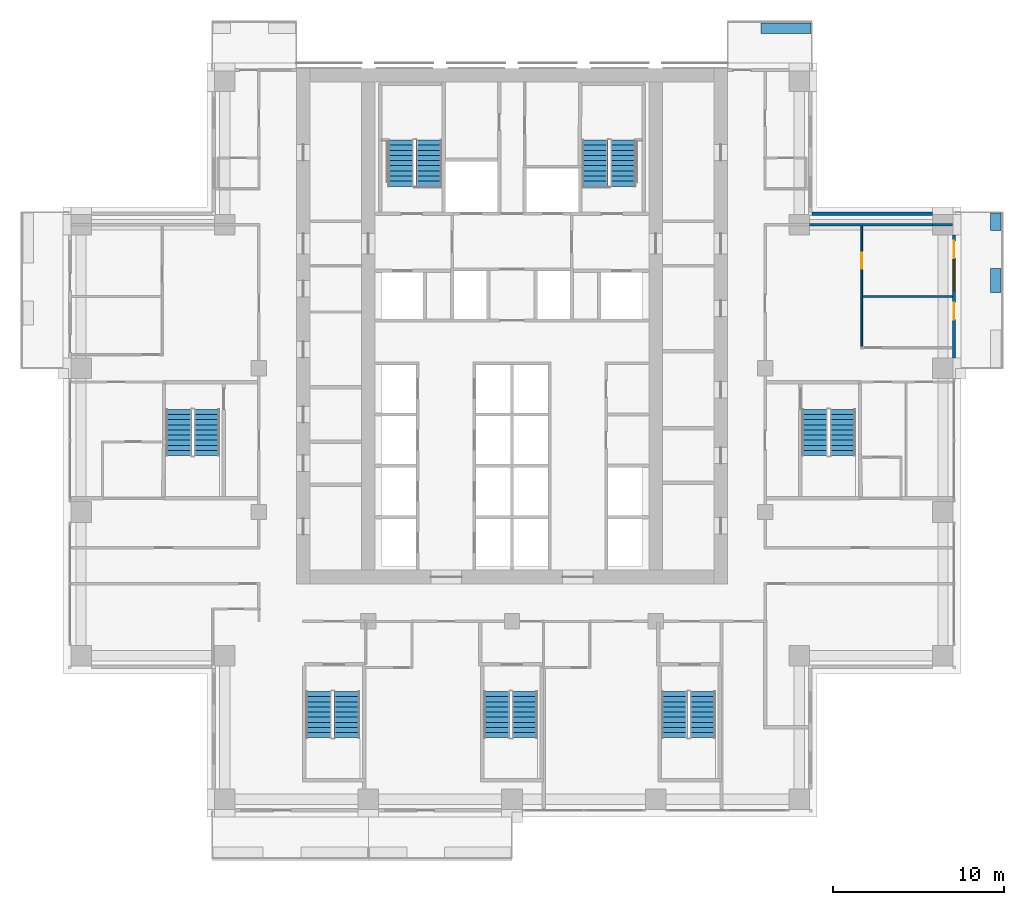
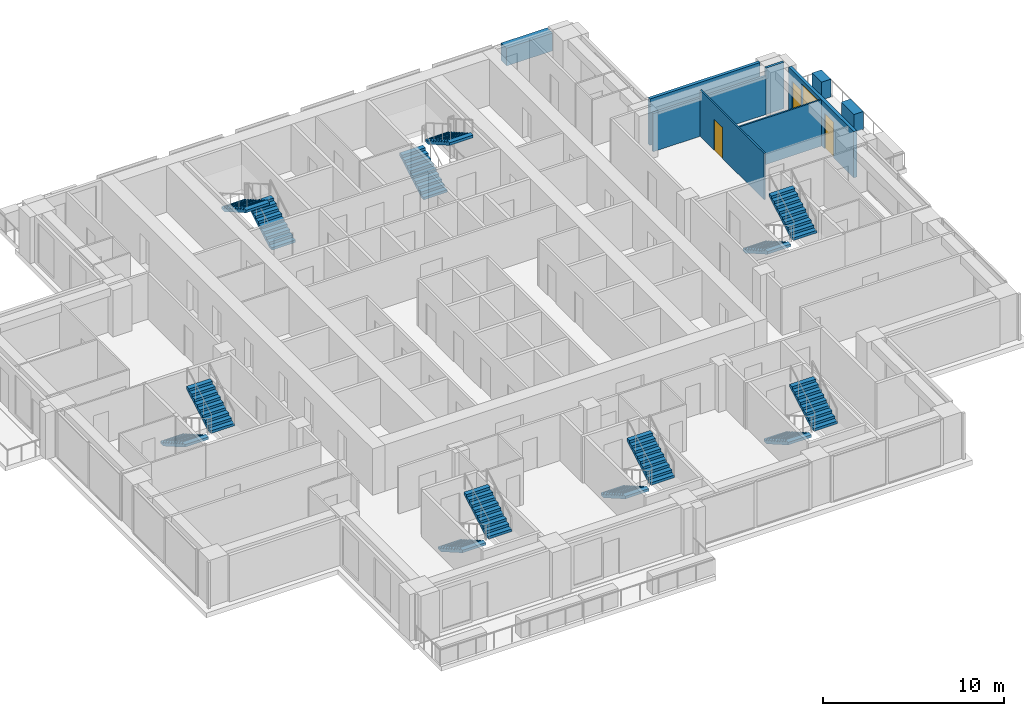
# One storey, part 12 of 16: 14 stair flights, 9 walls, 3 doors, 1 window, 4 openings, 7 elements without a shape of their own.
"""IFC4 building model written with IfcOpenShell, lengths in metres."""

import ifcopenshell
import ifcopenshell.guid

model = None  # the IFC model being written
_history = None  # IfcOwnerHistory: only IFC2X3 demands one
_inside = {}  # id of a spatial element -> (the spatial element, [elements in it])
_under = {}  # id of a project, library or spatial element -> (it, [spatial elements below it])
_declared = {}  # id of a project -> (the project, [libraries it declares])
_typed = {}  # id of a type object -> (the type object, [elements of that type])
_made_of = {}  # id of a material, layer set ... -> (it, [elements and type objects made of it])


def new_model(schema):
    """Start an empty IFC model of exactly this schema.

    Asked for "IFC4X3", IfcOpenShell would pick the latest addendum, in which some entities
    have other attributes; the version numbers below select the first issue.
    IFC2X3 requires an IfcOwnerHistory on every rooted entity: one is made here for all.
    """
    global model, _history
    if schema == "IFC4X3":
        model = ifcopenshell.file(schema_version=(4, 3, 0, 0))
    else:
        model = ifcopenshell.file(schema=schema)
    _inside.clear()
    _under.clear()
    _declared.clear()
    _typed.clear()
    _made_of.clear()
    _history = None
    if model.schema == "IFC2X3":
        org = make("IfcOrganization", Name="unknown")
        user = make(
            "IfcPersonAndOrganization",
            ThePerson=make("IfcPerson", FamilyName="unknown"),
            TheOrganization=org,
        )
        app = make(
            "IfcApplication",
            ApplicationDeveloper=org,
            Version="unknown",
            ApplicationFullName="unknown",
            ApplicationIdentifier="unknown",
        )
        _history = make(
            "IfcOwnerHistory",
            OwningUser=user,
            OwningApplication=app,
            ChangeAction="ADDED",
            CreationDate=0,
        )
    return model


def make(cls, **values):
    """One entity of the class cls with the attributes given. An attribute that is None is left unset."""
    return model.create_entity(
        cls, **{name: value for name, value in values.items() if value is not None}
    )


def rooted(cls, **values):
    """An entity with a GlobalId (a new one), such as an element, a storey or a relation."""
    return make(cls, GlobalId=ifcopenshell.guid.new(), OwnerHistory=_history, **values)


def si_unit(unit_type, name, prefix=None):
    """IfcSIUnit, for example si_unit("LENGTHUNIT", "METRE", prefix="MILLI")."""
    return make("IfcSIUnit", UnitType=unit_type, Prefix=prefix, Name=name)


def assignment(units):
    """IfcUnitAssignment: the units of a project."""
    return None if units is None else make("IfcUnitAssignment", Units=units)


def point(xyz):
    """IfcCartesianPoint."""
    return None if xyz is None else make("IfcCartesianPoint", Coordinates=xyz)


def direction(xyz):
    """IfcDirection."""
    return None if xyz is None else make("IfcDirection", DirectionRatios=xyz)


def frame(location, z_axis=None, x_axis=None):
    """IfcAxis2Placement3D, a coordinate frame: its origin and axes. An axis left out is left unset."""
    return make(
        "IfcAxis2Placement3D",
        Location=point(location),
        Axis=direction(z_axis),
        RefDirection=direction(x_axis),
    )


def frame_2d(location, x_axis=None):
    """IfcAxis2Placement2D, a coordinate frame in the plane: its origin and x axis."""
    return make(
        "IfcAxis2Placement2D", Location=point(location), RefDirection=direction(x_axis)
    )


def origin():
    """The frame at (0, 0, 0) with its axes left unset."""
    return frame((0.0, 0.0, 0.0))


def place(relative_to, where):
    """IfcLocalPlacement: puts the frame where relative to a parent placement (None: the world)."""
    return make(
        "IfcLocalPlacement", PlacementRelTo=relative_to, RelativePlacement=where
    )


def context(
    kind, dimensions, precision=None, world=None, true_north=None, identifier=None
):
    """IfcGeometricRepresentationContext, for example the 3D "Model" context."""
    return make(
        "IfcGeometricRepresentationContext",
        ContextIdentifier=identifier,
        ContextType=kind,
        CoordinateSpaceDimension=dimensions,
        Precision=precision,
        WorldCoordinateSystem=world,
        TrueNorth=true_north,
    )


def subcontext(parent, identifier, kind, view, scale=None):
    """IfcGeometricRepresentationSubContext, for example "Body" below "Model"."""
    return make(
        "IfcGeometricRepresentationSubContext",
        ContextIdentifier=identifier,
        ContextType=kind,
        ParentContext=parent,
        TargetScale=scale,
        TargetView=view,
    )


def project(units=None, contexts=None):
    """IfcProject with its units and contexts."""
    return rooted(
        "IfcProject",
        Name="project",
        RepresentationContexts=contexts,
        UnitsInContext=assignment(units),
    )


def spatial(cls, under=None, at=None, **own):
    """A site, building, storey or space (cls), placed at a placement, below another one or the project."""
    s = rooted(cls, ObjectPlacement=at, **own)
    if under is not None:
        _under.setdefault(under.id(), (under, []))[1].append(s)
    return s


def polyline(points):
    """IfcPolyline through the points."""
    return make("IfcPolyline", Points=[point(p) for p in points])


def profile(cls, at=None, kind="AREA", **sizes):
    """A parametric profile (cls). Its sizes go by their IFC names, for example OverallWidth=200.0."""
    return make(cls, ProfileType=kind, Position=at, **sizes)


def rectangle(**sizes):
    """IfcRectangleProfileDef."""
    return profile("IfcRectangleProfileDef", **sizes)


def outline(outer, holes=None, kind="AREA"):
    """IfcArbitraryClosedProfileDef: a profile drawn as a closed curve; with holes, ...WithVoids."""
    if holes is None:
        return make("IfcArbitraryClosedProfileDef", ProfileType=kind, OuterCurve=outer)
    return make(
        "IfcArbitraryProfileDefWithVoids",
        ProfileType=kind,
        OuterCurve=outer,
        InnerCurves=holes,
    )


def extrude(swept, where, along, depth):
    """IfcExtrudedAreaSolid: the profile swept, set in the frame where, extruded along a direction by depth."""
    return make(
        "IfcExtrudedAreaSolid",
        SweptArea=swept,
        Position=where,
        ExtrudedDirection=direction(along),
        Depth=depth,
    )


def shape(context_of_items, identifier, shape_type, items):
    """IfcShapeRepresentation: the items that make up one representation, for example the "Body"."""
    return make(
        "IfcShapeRepresentation",
        ContextOfItems=context_of_items,
        RepresentationIdentifier=identifier,
        RepresentationType=shape_type,
        Items=items,
    )


def material(Name=None, Category=None):
    """IfcMaterial."""
    return make("IfcMaterial", Name=Name, Category=Category)


def layer(
    of_material, thickness, ventilated=None, Name=None, Category=None, Priority=None
):
    """IfcMaterialLayer: one layer of a wall or slab, of a material (None: an air gap)."""
    return make(
        "IfcMaterialLayer",
        Material=of_material,
        LayerThickness=thickness,
        IsVentilated=ventilated,
        Name=Name,
        Category=Category,
        Priority=Priority,
    )


def layer_set(layers, Name=None):
    """IfcMaterialLayerSet."""
    return make("IfcMaterialLayerSet", MaterialLayers=layers, LayerSetName=Name)


def made_of(thing, what):
    """Note that an element or type object is made of a material, layer set ...; save() writes the relation."""
    if what is not None:
        _made_of.setdefault(what.id(), (what, []))[1].append(thing)
    return thing


def type_object(cls, material=None, **own):
    """A type object (cls), such as IfcWallType, which elements share."""
    return made_of(rooted(cls, **own), material)


def element(
    cls,
    number,
    at=None,
    inside=None,
    cuts=None,
    type_object=None,
    material=None,
    context=None,
    identifier="Body",
    shape_type=None,
    held_by="IfcProductDefinitionShape",
    body=None,
    shapes=None,
    **own,
):
    """One element of the class cls, such as IfcWall. Its Tag is "e" and its number.

    at: its placement. inside: the storey or other place that contains it. cuts: it is an
    opening in that element (IfcRelVoidsElement). A single representation is given by context,
    identifier, shape_type and body (its items); several are given by shapes. held_by: the class
    of the entity that holds the representations. save() writes the other relations.
    """
    e = rooted(cls, Tag="e%d" % number, ObjectPlacement=at, **own)
    if body is not None:
        shapes = [shape(context, identifier, shape_type, body)]
    if shapes is not None:
        e.Representation = make(held_by, Representations=shapes)
    if inside is not None:
        _inside.setdefault(inside.id(), (inside, []))[1].append(e)
    if cuts is not None:
        rooted(
            "IfcRelVoidsElement", RelatingBuildingElement=cuts, RelatedOpeningElement=e
        )
    if type_object is not None:
        _typed.setdefault(type_object.id(), (type_object, []))[1].append(e)
    return made_of(e, material)


def fill(opening, filler):
    """IfcRelFillsElement: the door or window that sits in an opening."""
    return rooted(
        "IfcRelFillsElement",
        RelatingOpeningElement=opening,
        RelatedBuildingElement=filler,
    )


def aggregate(whole, parts):
    """IfcRelAggregates: a whole, such as a stair, and the parts it consists of."""
    return rooted("IfcRelAggregates", RelatingObject=whole, RelatedObjects=parts)


def save(model, path):
    """Write the relations noted so far, then the file.

    IfcRelAggregates (storeys below a building ...), IfcRelContainedInSpatialStructure (elements
    in a storey), IfcRelDefinesByType, IfcRelAssociatesMaterial and IfcRelDeclares: one each for
    every whole, place, type object, material and project.
    """
    for whole, parts in _under.values():
        aggregate(whole, parts)
    for where, things in _inside.values():
        rooted(
            "IfcRelContainedInSpatialStructure",
            RelatedElements=things,
            RelatingStructure=where,
        )
    for kind, things in _typed.values():
        rooted("IfcRelDefinesByType", RelatedObjects=things, RelatingType=kind)
    for what, things in _made_of.values():
        rooted("IfcRelAssociatesMaterial", RelatedObjects=things, RelatingMaterial=what)
    for by, libraries in _declared.values():
        rooted("IfcRelDeclares", RelatingContext=by, RelatedDefinitions=libraries)
    model.write(path)


model = new_model("IFC4")

# Units and contexts
model_context = context("Model", 3, precision=1e-05, world=origin(), true_north=direction((0.0, 1.0)))
body_context = subcontext(model_context, "Body", "Model", "MODEL_VIEW")
ifc_project = project(units=[si_unit("LENGTHUNIT", "METRE"), si_unit("AREAUNIT", "SQUARE_METRE"), si_unit("VOLUMEUNIT", "CUBIC_METRE"), si_unit("PLANEANGLEUNIT", "RADIAN"), si_unit("MASSUNIT", "GRAM", prefix="KILO")], contexts=[model_context])

# Site, building, storey
site_placement = place(None, origin())
site = spatial("IfcSite", under=ifc_project, at=site_placement, CompositionType="ELEMENT")
building_placement = place(site_placement, origin())
building = spatial("IfcBuilding", under=site, at=building_placement, Name="Vermilion Ogive Tower", CompositionType="ELEMENT")
storey_placement = place(building_placement, frame((0.0, 0.0, 114.89990234375)))
storey = spatial("IfcBuildingStorey", under=building, at=storey_placement, Name="L29", CompositionType="ELEMENT", Elevation=114.89990234375)

# Wall
ifc_material_1 = material(Name="Gypsum board partition on steel studs", Category="steel")
ifc_layer_1 = layer(ifc_material_1, 0.10009765625)
ifc_layer_set_1 = layer_set([ifc_layer_1], Name="Partition 100 inner")
wall_type_1 = type_object("IfcWallType", Name="Partition 100 inner", PredefinedType="PARTITIONING", material=ifc_layer_set_1)
wall_1_placement = place(storey_placement, frame((20.5, 8.39990234375, 0.0), z_axis=(0.0, 0.0, 1.0), x_axis=(1.0, 0.0, 0.0)))
element("IfcWall", 1, at=wall_1_placement, inside=storey, type_object=wall_type_1, Name="L29-W-W034", PredefinedType="PARTITIONING", context=body_context, shape_type="SweptSolid", body=[
    extrude(rectangle(XDim=5.25, YDim=0.10009765625, at=frame_2d((2.625, 0.0))), origin(), (0.0, 0.0, 1.0), 3.130126953125),
])

# Wall, opening, door
wall_2_placement = place(storey_placement, frame((20.449951171875, 5.449951171875, 0.0), z_axis=(0.0, 0.0, 1.0), x_axis=(0.0, 1.0, 0.0)))
wall_2 = element("IfcWall", 2, at=wall_2_placement, inside=storey, type_object=wall_type_1, Name="L29-W-W076", PredefinedType="PARTITIONING", context=body_context, shape_type="SweptSolid", body=[
    extrude(rectangle(XDim=7.074951171875, YDim=0.10009765625, at=frame_2d((3.53759765625, 0.0))), origin(), (0.0, 0.0, 1.0), 3.130126953125),
])
opening_1_placement = place(wall_2_placement, frame((4.574951171875, 0.0, 0.0)))
opening_1 = element("IfcOpeningElement", 3, at=opening_1_placement, cuts=wall_2, Name="Opening D2G5017", PredefinedType="OPENING", context=body_context, shape_type="SweptSolid", body=[
    extrude(rectangle(XDim=0.949951171875, YDim=2.10009765625, at=frame_2d((0.47509765625, 1.050048828125))), frame((0.0, 0.06005859375, 0.0), z_axis=(0.0, -1.0, 0.0), x_axis=(1.0, 0.0, 0.0)), (0.0, 0.0, 1.0), 0.1201171875),
])
ifc_material_2 = material(Name="Timber door leaf", Category="wood")
door_type_1 = type_object("IfcDoorType", Name="Inner door 950 x 2100 FD30", OperationType="SINGLE_SWING_LEFT", PredefinedType="DOOR", material=ifc_material_2)
door_1_placement = place(opening_1_placement, origin())
door_1 = element("IfcDoor", 4, at=door_1_placement, inside=storey, type_object=door_type_1, Name="L29-D-D017", OperationType="SINGLE_SWING_RIGHT", OverallHeight=2.10009765625, OverallWidth=0.949951171875, PredefinedType="DOOR", context=body_context, shape_type="SweptSolid", body=[
    extrude(rectangle(XDim=0.949951171875, YDim=2.10009765625, at=frame_2d((0.47509765625, 1.050048828125))), frame((0.0, 0.02490234375, 0.0), z_axis=(0.0, -1.0, 0.0), x_axis=(1.0, 0.0, 0.0)), (0.0, 0.0, 1.0), 0.050048828125),
])
fill(opening_1, door_1)

# Walls
ifc_material_3 = material(Name="Gypsum board partition on steel studs", Category="steel")
ifc_layer_2 = layer(ifc_material_3, 0.14990234375)
ifc_layer_set_2 = layer_set([ifc_layer_2], Name="Partition 150 corridor")
wall_type_2 = type_object("IfcWallType", Name="Partition 150 corridor", PredefinedType="PARTITIONING", material=ifc_layer_set_2)
wall_3_placement = place(storey_placement, frame((17.39990234375, 12.60009765625, 0.0), z_axis=(0.0, 0.0, 1.0), x_axis=(1.0, 0.0, 0.0)))
element("IfcWall", 5, at=wall_3_placement, inside=storey, type_object=wall_type_2, Name="L29-W-W036-h1", PredefinedType="PARTITIONING", context=body_context, shape_type="SweptSolid", body=[
    extrude(rectangle(XDim=7.2001953125, YDim=0.14990234375, at=frame_2d((3.60009765625, 0.0))), origin(), (0.0, 0.0, 1.0), 2.580078125),
])
wall_4_placement = place(storey_placement, frame((24.60009765625, 12.60009765625, 0.0), z_axis=(0.0, 0.0, 1.0), x_axis=(1.0, 0.0, 0.0)))
element("IfcWall", 6, at=wall_4_placement, inside=storey, type_object=wall_type_2, Name="L29-W-W036-h2", PredefinedType="PARTITIONING", context=body_context, shape_type="SweptSolid", body=[
    extrude(rectangle(XDim=1.14990234375, YDim=0.14990234375, at=frame_2d((0.574951171875, 0.0))), origin(), (0.0, 0.0, 1.0), 3.130126953125),
])
ifc_material_4 = material(Name="Concrete B40", Category="concrete")
ifc_layer_3 = layer(ifc_material_4, 0.60009765625)
ifc_layer_set_3 = layer_set([ifc_layer_3], Name="Structural planter")
wall_type_3 = type_object("IfcWallType", Name="Structural planter", PredefinedType="USERDEFINED", material=ifc_layer_set_3)
wall_5_placement = place(storey_placement, frame((28.2939453125, 8.64990234375, -0.039794921875), z_axis=(0.0, 0.0, 1.0), x_axis=(0.0, 1.0, 0.0)))
element("IfcWall", 7, at=wall_5_placement, inside=storey, type_object=wall_type_3, Name="Planter E03A2", ObjectType="PLANTER", PredefinedType="USERDEFINED", context=body_context, shape_type="SweptSolid", body=[
    extrude(rectangle(XDim=1.400146484375, YDim=0.60009765625, at=frame_2d((0.7001953125, 0.0))), origin(), (0.0, 0.0, 1.0), 1.199951171875),
])
wall_6_placement = place(storey_placement, frame((28.2939453125, 12.25, -0.039794921875), z_axis=(0.0, 0.0, 1.0), x_axis=(0.0, 1.0, 0.0)))
element("IfcWall", 8, at=wall_6_placement, inside=storey, type_object=wall_type_3, Name="Planter E03A3", ObjectType="PLANTER", PredefinedType="USERDEFINED", context=body_context, shape_type="SweptSolid", body=[
    extrude(rectangle(XDim=1.0400390625, YDim=0.60009765625, at=frame_2d((0.52001953125, 0.0))), origin(), (0.0, 0.0, 1.0), 1.199951171875),
])
wall_7_placement = place(storey_placement, frame((17.489990234375, 24.093994140625, -0.039794921875), z_axis=(0.0, 0.0, 1.0), x_axis=(-1.0, 0.0, 0.0)))
element("IfcWall", 9, at=wall_7_placement, inside=storey, type_object=wall_type_3, Name="Planter N101A1", ObjectType="PLANTER", PredefinedType="USERDEFINED", context=body_context, shape_type="SweptSolid", body=[
    extrude(rectangle(XDim=2.93994140625, YDim=0.60009765625, at=frame_2d((1.469970703125, 0.0))), origin(), (0.0, 0.0, 1.0), 1.199951171875),
])

# Wall, openings, doors, window
ifc_material_5 = material(Name="Aluminium window wall framing", Category="aluminium")
ifc_layer_4 = layer(ifc_material_5, 0.199951171875)
ifc_layer_set_4 = layer_set([ifc_layer_4], Name="Window wall")
wall_type_4 = type_object("IfcWallType", Name="Window wall", PredefinedType="STANDARD", material=ifc_layer_set_4)
wall_8_placement = place(storey_placement, frame((25.85009765625, 4.800048828125, 0.0), z_axis=(0.0, 0.0, 1.0), x_axis=(0.0, 1.0, 0.0)))
wall_8 = element("IfcWall", 10, at=wall_8_placement, inside=storey, type_object=wall_type_4, Name="Window wall E3", PredefinedType="STANDARD", context=body_context, shape_type="SweptSolid", body=[
    extrude(rectangle(XDim=7.199951171875, YDim=0.199951171875, at=frame_2d((3.60009765625, 0.0))), origin(), (0.0, 0.0, 1.0), 3.130126953125),
])
opening_2_placement = place(wall_8_placement, frame((2.25, 0.0, 0.0)))
opening_2 = element("IfcOpeningElement", 11, at=opening_2_placement, cuts=wall_8, Name="Opening D1-E01", PredefinedType="OPENING", context=body_context, shape_type="SweptSolid", body=[
    extrude(rectangle(XDim=1.0, YDim=2.39990234375, at=frame_2d((0.5, 1.199951171875))), frame((0.0, 0.10986328125, 0.0), z_axis=(0.0, -1.0, 0.0), x_axis=(1.0, 0.0, 0.0)), (0.0, 0.0, 1.0), 0.219970703125),
])
opening_3_placement = place(wall_8_placement, frame((3.949951171875, 0.0, 0.199951171875)))
opening_3 = element("IfcOpeningElement", 12, at=opening_3_placement, cuts=wall_8, Name="Opening W1-E02", PredefinedType="OPENING", context=body_context, shape_type="SweptSolid", body=[
    extrude(rectangle(XDim=1.800048828125, YDim=2.64990234375, at=frame_2d((0.89990234375, 1.324951171875))), frame((0.0, 0.10986328125, 0.0), z_axis=(0.0, -1.0, 0.0), x_axis=(1.0, 0.0, 0.0)), (0.0, 0.0, 1.0), 0.219970703125),
])
opening_4_placement = place(wall_8_placement, frame((5.85009765625, 0.0, 0.0)))
opening_4 = element("IfcOpeningElement", 13, at=opening_4_placement, cuts=wall_8, Name="Opening D1-E02", PredefinedType="OPENING", context=body_context, shape_type="SweptSolid", body=[
    extrude(rectangle(XDim=1.0, YDim=2.39990234375, at=frame_2d((0.5, 1.199951171875))), frame((0.0, 0.10986328125, 0.0), z_axis=(0.0, -1.0, 0.0), x_axis=(1.0, 0.0, 0.0)), (0.0, 0.0, 1.0), 0.219970703125),
])
ifc_material_6 = material(Name="Aluminium framed glazed door", Category="aluminium")
door_type_2 = type_object("IfcDoorType", Name="Balcony door D1", OperationType="SINGLE_SWING_LEFT", PredefinedType="DOOR", material=ifc_material_6)
door_2_placement = place(opening_2_placement, origin())
door_2 = element("IfcDoor", 14, at=door_2_placement, inside=storey, type_object=door_type_2, Name="Balcony door E01", OperationType="SINGLE_SWING_LEFT", OverallHeight=2.39990234375, OverallWidth=1.0, PredefinedType="DOOR", context=body_context, shape_type="SweptSolid", body=[
    extrude(rectangle(XDim=1.0, YDim=2.39990234375, at=frame_2d((0.5, 1.199951171875))), frame((0.0, 0.02490234375, 0.0), z_axis=(0.0, -1.0, 0.0), x_axis=(1.0, 0.0, 0.0)), (0.0, 0.0, 1.0), 0.050048828125),
])
fill(opening_2, door_2)
door_3_placement = place(opening_4_placement, origin())
door_3 = element("IfcDoor", 15, at=door_3_placement, inside=storey, type_object=door_type_2, Name="Balcony door E02", OperationType="SINGLE_SWING_LEFT", OverallHeight=2.39990234375, OverallWidth=1.0, PredefinedType="DOOR", context=body_context, shape_type="SweptSolid", body=[
    extrude(rectangle(XDim=1.0, YDim=2.39990234375, at=frame_2d((0.5, 1.199951171875))), frame((0.0, 0.02490234375, 0.0), z_axis=(0.0, -1.0, 0.0), x_axis=(1.0, 0.0, 0.0)), (0.0, 0.0, 1.0), 0.050048828125),
])
fill(opening_4, door_3)
ifc_material_7 = material(Name="Aluminium framed double glazing", Category="aluminium")
window_type = type_object("IfcWindowType", Name="Guest window W1", PartitioningType="SINGLE_PANEL", PredefinedType="WINDOW", material=ifc_material_7)
window_placement = place(opening_3_placement, origin())
window = element("IfcWindow", 16, at=window_placement, inside=storey, type_object=window_type, Name="Window E02", OverallHeight=2.64990234375, OverallWidth=1.800048828125, PartitioningType="SINGLE_PANEL", PredefinedType="WINDOW", context=body_context, shape_type="SweptSolid", body=[
    extrude(rectangle(XDim=1.800048828125, YDim=2.64990234375, at=frame_2d((0.89990234375, 1.324951171875))), frame((0.0, 0.030029296875, 0.0), z_axis=(0.0, -1.0, 0.0), x_axis=(1.0, 0.0, 0.0)), (0.0, 0.0, 1.0), 0.06005859375),
])
fill(opening_3, window)

# Wall
wall_9_placement = place(storey_placement, frame((24.60009765625, 13.25, 0.0), z_axis=(0.0, 0.0, 1.0), x_axis=(-1.0, 0.0, 0.0)))
element("IfcWall", 17, at=wall_9_placement, inside=storey, type_object=wall_type_4, Name="Window wall X31", PredefinedType="STANDARD", context=body_context, shape_type="SweptSolid", body=[
    extrude(rectangle(XDim=7.050048828125, YDim=0.199951171875, at=frame_2d((3.52490234375, 0.0))), origin(), (0.0, 0.0, 1.0), 3.130126953125),
])

# Stair, stair flights
ifc_material_8 = material(Name="Concrete B40", Category="concrete")
stair_type = type_object("IfcStairType", Name="Exit stair 1500", PredefinedType="HALF_TURN_STAIR", material=ifc_material_8)
stair_1_placement = place(storey_placement, origin())
stair_1 = element("IfcStair", 18, at=stair_1_placement, inside=storey, type_object=stair_type, Name="L29 Exit Stair ST1", PredefinedType="HALF_TURN_STAIR")
ifc_material_9 = material(Name="Concrete B40", Category="concrete")
stair_flight_type = type_object("IfcStairFlightType", Name="Stair flight 1500", PredefinedType="STRAIGHT", material=ifc_material_9)
stair_flight_1_placement = place(storey_placement, frame((-4.85009765625, 14.85009765625, 0.0), z_axis=(0.0, 0.0, 1.0), x_axis=(0.0, 1.0, 0.0)))
stair_flight_1 = element("IfcStairFlight", 19, at=stair_flight_1_placement, type_object=stair_flight_type, Name="ST1 flight 1", NumberOfRisers=10, NumberOfTreads=9, PredefinedType="STRAIGHT", RiserHeight=0.1725, TreadLength=0.3, context=body_context, shape_type="SweptSolid", body=[
    extrude(outline(polyline([(0.0, 0.0), (0.0, 0.172607421875), (0.300048828125, 0.172607421875), (0.300048828125, 0.344970703125), (0.60009765625, 0.344970703125), (0.60009765625, 0.517578125), (0.89990234375, 0.517578125), (0.89990234375, 0.68994140625), (1.199951171875, 0.68994140625), (1.199951171875, 0.862548828125), (1.5, 0.862548828125), (1.5, 1.034912109375), (1.800048828125, 1.034912109375), (1.800048828125, 1.20751953125), (2.10009765625, 1.20751953125), (2.10009765625, 1.3798828125), (2.39990234375, 1.3798828125), (2.39990234375, 1.552490234375), (2.699951171875, 1.552490234375), (2.699951171875, 1.72509765625), (2.699951171875, 1.379638671875), (0.30078125, 0.0), (0.0, 0.0)])), frame((0.0, 0.75, 0.0), z_axis=(0.0, -1.0, 0.0), x_axis=(1.0, 0.0, 0.0)), (0.0, 0.0, 1.0), 1.5),
])
stair_flight_2_placement = place(storey_placement, frame((-6.5, 17.550048828125, 1.72509765625), z_axis=(0.0, 0.0, 1.0), x_axis=(0.0, -1.0, 0.0)))
stair_flight_2 = element("IfcStairFlight", 20, at=stair_flight_2_placement, type_object=stair_flight_type, Name="ST1 flight 2", NumberOfRisers=10, NumberOfTreads=9, PredefinedType="STRAIGHT", RiserHeight=0.1725, TreadLength=0.3, context=body_context, shape_type="SweptSolid", body=[
    extrude(outline(polyline([(0.0, 0.0), (0.0, 0.172607421875), (0.300048828125, 0.172607421875), (0.300048828125, 0.344970703125), (0.60009765625, 0.344970703125), (0.60009765625, 0.517578125), (0.89990234375, 0.517578125), (0.89990234375, 0.68994140625), (1.199951171875, 0.68994140625), (1.199951171875, 0.862548828125), (1.5, 0.862548828125), (1.5, 1.034912109375), (1.800048828125, 1.034912109375), (1.800048828125, 1.20751953125), (2.10009765625, 1.20751953125), (2.10009765625, 1.3798828125), (2.39990234375, 1.3798828125), (2.39990234375, 1.552490234375), (2.699951171875, 1.552490234375), (2.699951171875, 1.72509765625), (2.699951171875, 1.379638671875), (0.30078125, 0.0), (0.0, 0.0)])), frame((0.0, 0.75, 0.0), z_axis=(0.0, -1.0, 0.0), x_axis=(1.0, 0.0, 0.0)), (0.0, 0.0, 1.0), 1.5),
])
aggregate(stair_1, [stair_flight_1, stair_flight_2])

stair_2_placement = place(storey_placement, origin())
stair_2 = element("IfcStair", 21, at=stair_2_placement, inside=storey, type_object=stair_type, Name="L29 Exit Stair ST2", PredefinedType="HALF_TURN_STAIR")
stair_flight_3_placement = place(storey_placement, frame((4.85009765625, 14.85009765625, 0.0), z_axis=(0.0, 0.0, 1.0), x_axis=(0.0, 1.0, 0.0)))
stair_flight_3 = element("IfcStairFlight", 22, at=stair_flight_3_placement, type_object=stair_flight_type, Name="ST2 flight 1", NumberOfRisers=10, NumberOfTreads=9, PredefinedType="STRAIGHT", RiserHeight=0.1725, TreadLength=0.3, context=body_context, shape_type="SweptSolid", body=[
    extrude(outline(polyline([(0.0, 0.0), (0.0, 0.172607421875), (0.300048828125, 0.172607421875), (0.300048828125, 0.344970703125), (0.60009765625, 0.344970703125), (0.60009765625, 0.517578125), (0.89990234375, 0.517578125), (0.89990234375, 0.68994140625), (1.199951171875, 0.68994140625), (1.199951171875, 0.862548828125), (1.5, 0.862548828125), (1.5, 1.034912109375), (1.800048828125, 1.034912109375), (1.800048828125, 1.20751953125), (2.10009765625, 1.20751953125), (2.10009765625, 1.3798828125), (2.39990234375, 1.3798828125), (2.39990234375, 1.552490234375), (2.699951171875, 1.552490234375), (2.699951171875, 1.72509765625), (2.699951171875, 1.379638671875), (0.30078125, 0.0), (0.0, 0.0)])), frame((0.0, 0.75, 0.0), z_axis=(0.0, -1.0, 0.0), x_axis=(1.0, 0.0, 0.0)), (0.0, 0.0, 1.0), 1.5),
])
stair_flight_4_placement = place(storey_placement, frame((6.5, 17.550048828125, 1.72509765625), z_axis=(0.0, 0.0, 1.0), x_axis=(0.0, -1.0, 0.0)))
stair_flight_4 = element("IfcStairFlight", 23, at=stair_flight_4_placement, type_object=stair_flight_type, Name="ST2 flight 2", NumberOfRisers=10, NumberOfTreads=9, PredefinedType="STRAIGHT", RiserHeight=0.1725, TreadLength=0.3, context=body_context, shape_type="SweptSolid", body=[
    extrude(outline(polyline([(0.0, 0.0), (0.0, 0.172607421875), (0.300048828125, 0.172607421875), (0.300048828125, 0.344970703125), (0.60009765625, 0.344970703125), (0.60009765625, 0.517578125), (0.89990234375, 0.517578125), (0.89990234375, 0.68994140625), (1.199951171875, 0.68994140625), (1.199951171875, 0.862548828125), (1.5, 0.862548828125), (1.5, 1.034912109375), (1.800048828125, 1.034912109375), (1.800048828125, 1.20751953125), (2.10009765625, 1.20751953125), (2.10009765625, 1.3798828125), (2.39990234375, 1.3798828125), (2.39990234375, 1.552490234375), (2.699951171875, 1.552490234375), (2.699951171875, 1.72509765625), (2.699951171875, 1.379638671875), (0.30078125, 0.0), (0.0, 0.0)])), frame((0.0, 0.75, 0.0), z_axis=(0.0, -1.0, 0.0), x_axis=(1.0, 0.0, 0.0)), (0.0, 0.0, 1.0), 1.5),
])
aggregate(stair_2, [stair_flight_3, stair_flight_4])

stair_3_placement = place(storey_placement, origin())
stair_3 = element("IfcStair", 24, at=stair_3_placement, inside=storey, type_object=stair_type, Name="L29 Exit Stair ST3", PredefinedType="HALF_TURN_STAIR")
stair_flight_5_placement = place(storey_placement, frame((-11.300048828125, -14.699951171875, 0.0), z_axis=(0.0, 0.0, 1.0), x_axis=(0.0, -1.0, 0.0)))
stair_flight_5 = element("IfcStairFlight", 25, at=stair_flight_5_placement, type_object=stair_flight_type, Name="ST3 flight 1", NumberOfRisers=10, NumberOfTreads=9, PredefinedType="STRAIGHT", RiserHeight=0.1725, TreadLength=0.3, context=body_context, shape_type="SweptSolid", body=[
    extrude(outline(polyline([(0.0, 0.0), (0.0, 0.172607421875), (0.300048828125, 0.172607421875), (0.300048828125, 0.344970703125), (0.60009765625, 0.344970703125), (0.60009765625, 0.517578125), (0.89990234375, 0.517578125), (0.89990234375, 0.68994140625), (1.199951171875, 0.68994140625), (1.199951171875, 0.862548828125), (1.5, 0.862548828125), (1.5, 1.034912109375), (1.800048828125, 1.034912109375), (1.800048828125, 1.20751953125), (2.10009765625, 1.20751953125), (2.10009765625, 1.3798828125), (2.39990234375, 1.3798828125), (2.39990234375, 1.552490234375), (2.699951171875, 1.552490234375), (2.699951171875, 1.72509765625), (2.699951171875, 1.379638671875), (0.30078125, 0.0), (0.0, 0.0)])), frame((0.0, 0.75, 0.0), z_axis=(0.0, -1.0, 0.0), x_axis=(1.0, 0.0, 0.0)), (0.0, 0.0, 1.0), 1.5),
])
stair_flight_6_placement = place(storey_placement, frame((-9.64990234375, -17.39990234375, 1.72509765625), z_axis=(0.0, 0.0, 1.0), x_axis=(0.0, 1.0, 0.0)))
stair_flight_6 = element("IfcStairFlight", 26, at=stair_flight_6_placement, type_object=stair_flight_type, Name="ST3 flight 2", NumberOfRisers=10, NumberOfTreads=9, PredefinedType="STRAIGHT", RiserHeight=0.1725, TreadLength=0.3, context=body_context, shape_type="SweptSolid", body=[
    extrude(outline(polyline([(0.0, 0.0), (0.0, 0.172607421875), (0.300048828125, 0.172607421875), (0.300048828125, 0.344970703125), (0.60009765625, 0.344970703125), (0.60009765625, 0.517578125), (0.89990234375, 0.517578125), (0.89990234375, 0.68994140625), (1.199951171875, 0.68994140625), (1.199951171875, 0.862548828125), (1.5, 0.862548828125), (1.5, 1.034912109375), (1.800048828125, 1.034912109375), (1.800048828125, 1.20751953125), (2.10009765625, 1.20751953125), (2.10009765625, 1.3798828125), (2.39990234375, 1.3798828125), (2.39990234375, 1.552490234375), (2.699951171875, 1.552490234375), (2.699951171875, 1.72509765625), (2.699951171875, 1.379638671875), (0.30078125, 0.0), (0.0, 0.0)])), frame((0.0, 0.75, 0.0), z_axis=(0.0, -1.0, 0.0), x_axis=(1.0, 0.0, 0.0)), (0.0, 0.0, 1.0), 1.5),
])
aggregate(stair_3, [stair_flight_5, stair_flight_6])

stair_4_placement = place(storey_placement, origin())
stair_4 = element("IfcStair", 27, at=stair_4_placement, inside=storey, type_object=stair_type, Name="L29 Exit Stair ST4", PredefinedType="HALF_TURN_STAIR")
stair_flight_7_placement = place(storey_placement, frame((-0.89990234375, -14.699951171875, 0.0), z_axis=(0.0, 0.0, 1.0), x_axis=(0.0, -1.0, 0.0)))
stair_flight_7 = element("IfcStairFlight", 28, at=stair_flight_7_placement, type_object=stair_flight_type, Name="ST4 flight 1", NumberOfRisers=10, NumberOfTreads=9, PredefinedType="STRAIGHT", RiserHeight=0.1725, TreadLength=0.3, context=body_context, shape_type="SweptSolid", body=[
    extrude(outline(polyline([(0.0, 0.0), (0.0, 0.172607421875), (0.300048828125, 0.172607421875), (0.300048828125, 0.344970703125), (0.60009765625, 0.344970703125), (0.60009765625, 0.517578125), (0.89990234375, 0.517578125), (0.89990234375, 0.68994140625), (1.199951171875, 0.68994140625), (1.199951171875, 0.862548828125), (1.5, 0.862548828125), (1.5, 1.034912109375), (1.800048828125, 1.034912109375), (1.800048828125, 1.20751953125), (2.10009765625, 1.20751953125), (2.10009765625, 1.3798828125), (2.39990234375, 1.3798828125), (2.39990234375, 1.552490234375), (2.699951171875, 1.552490234375), (2.699951171875, 1.72509765625), (2.699951171875, 1.379638671875), (0.30078125, 0.0), (0.0, 0.0)])), frame((0.0, 0.75, 0.0), z_axis=(0.0, -1.0, 0.0), x_axis=(1.0, 0.0, 0.0)), (0.0, 0.0, 1.0), 1.5),
])
stair_flight_8_placement = place(storey_placement, frame((0.75, -17.39990234375, 1.72509765625), z_axis=(0.0, 0.0, 1.0), x_axis=(0.0, 1.0, 0.0)))
stair_flight_8 = element("IfcStairFlight", 29, at=stair_flight_8_placement, type_object=stair_flight_type, Name="ST4 flight 2", NumberOfRisers=10, NumberOfTreads=9, PredefinedType="STRAIGHT", RiserHeight=0.1725, TreadLength=0.3, context=body_context, shape_type="SweptSolid", body=[
    extrude(outline(polyline([(0.0, 0.0), (0.0, 0.172607421875), (0.300048828125, 0.172607421875), (0.300048828125, 0.344970703125), (0.60009765625, 0.344970703125), (0.60009765625, 0.517578125), (0.89990234375, 0.517578125), (0.89990234375, 0.68994140625), (1.199951171875, 0.68994140625), (1.199951171875, 0.862548828125), (1.5, 0.862548828125), (1.5, 1.034912109375), (1.800048828125, 1.034912109375), (1.800048828125, 1.20751953125), (2.10009765625, 1.20751953125), (2.10009765625, 1.3798828125), (2.39990234375, 1.3798828125), (2.39990234375, 1.552490234375), (2.699951171875, 1.552490234375), (2.699951171875, 1.72509765625), (2.699951171875, 1.379638671875), (0.30078125, 0.0), (0.0, 0.0)])), frame((0.0, 0.75, 0.0), z_axis=(0.0, -1.0, 0.0), x_axis=(1.0, 0.0, 0.0)), (0.0, 0.0, 1.0), 1.5),
])
aggregate(stair_4, [stair_flight_7, stair_flight_8])

stair_5_placement = place(storey_placement, origin())
stair_5 = element("IfcStair", 30, at=stair_5_placement, inside=storey, type_object=stair_type, Name="L29 Exit Stair ST5", PredefinedType="HALF_TURN_STAIR")
stair_flight_9_placement = place(storey_placement, frame((9.5, -14.699951171875, 0.0), z_axis=(0.0, 0.0, 1.0), x_axis=(0.0, -1.0, 0.0)))
stair_flight_9 = element("IfcStairFlight", 31, at=stair_flight_9_placement, type_object=stair_flight_type, Name="ST5 flight 1", NumberOfRisers=10, NumberOfTreads=9, PredefinedType="STRAIGHT", RiserHeight=0.1725, TreadLength=0.3, context=body_context, shape_type="SweptSolid", body=[
    extrude(outline(polyline([(0.0, 0.0), (0.0, 0.172607421875), (0.300048828125, 0.172607421875), (0.300048828125, 0.344970703125), (0.60009765625, 0.344970703125), (0.60009765625, 0.517578125), (0.89990234375, 0.517578125), (0.89990234375, 0.68994140625), (1.199951171875, 0.68994140625), (1.199951171875, 0.862548828125), (1.5, 0.862548828125), (1.5, 1.034912109375), (1.800048828125, 1.034912109375), (1.800048828125, 1.20751953125), (2.10009765625, 1.20751953125), (2.10009765625, 1.3798828125), (2.39990234375, 1.3798828125), (2.39990234375, 1.552490234375), (2.699951171875, 1.552490234375), (2.699951171875, 1.72509765625), (2.699951171875, 1.379638671875), (0.30078125, 0.0), (0.0, 0.0)])), frame((0.0, 0.75, 0.0), z_axis=(0.0, -1.0, 0.0), x_axis=(1.0, 0.0, 0.0)), (0.0, 0.0, 1.0), 1.5),
])
stair_flight_10_placement = place(storey_placement, frame((11.14990234375, -17.39990234375, 1.72509765625), z_axis=(0.0, 0.0, 1.0), x_axis=(0.0, 1.0, 0.0)))
stair_flight_10 = element("IfcStairFlight", 32, at=stair_flight_10_placement, type_object=stair_flight_type, Name="ST5 flight 2", NumberOfRisers=10, NumberOfTreads=9, PredefinedType="STRAIGHT", RiserHeight=0.1725, TreadLength=0.3, context=body_context, shape_type="SweptSolid", body=[
    extrude(outline(polyline([(0.0, 0.0), (0.0, 0.172607421875), (0.300048828125, 0.172607421875), (0.300048828125, 0.344970703125), (0.60009765625, 0.344970703125), (0.60009765625, 0.517578125), (0.89990234375, 0.517578125), (0.89990234375, 0.68994140625), (1.199951171875, 0.68994140625), (1.199951171875, 0.862548828125), (1.5, 0.862548828125), (1.5, 1.034912109375), (1.800048828125, 1.034912109375), (1.800048828125, 1.20751953125), (2.10009765625, 1.20751953125), (2.10009765625, 1.3798828125), (2.39990234375, 1.3798828125), (2.39990234375, 1.552490234375), (2.699951171875, 1.552490234375), (2.699951171875, 1.72509765625), (2.699951171875, 1.379638671875), (0.30078125, 0.0), (0.0, 0.0)])), frame((0.0, 0.75, 0.0), z_axis=(0.0, -1.0, 0.0), x_axis=(1.0, 0.0, 0.0)), (0.0, 0.0, 1.0), 1.5),
])
aggregate(stair_5, [stair_flight_9, stair_flight_10])

stair_6_placement = place(storey_placement, origin())
stair_6 = element("IfcStair", 33, at=stair_6_placement, inside=storey, type_object=stair_type, Name="L29 Exit Stair ST8", PredefinedType="HALF_TURN_STAIR")
stair_flight_11_placement = place(storey_placement, frame((17.699951171875, 1.800048828125, 0.0), z_axis=(0.0, 0.0, 1.0), x_axis=(0.0, -1.0, 0.0)))
stair_flight_11 = element("IfcStairFlight", 34, at=stair_flight_11_placement, type_object=stair_flight_type, Name="ST8 flight 1", NumberOfRisers=10, NumberOfTreads=9, PredefinedType="STRAIGHT", RiserHeight=0.1725, TreadLength=0.3, context=body_context, shape_type="SweptSolid", body=[
    extrude(outline(polyline([(0.0, 0.0), (0.0, 0.172607421875), (0.300048828125, 0.172607421875), (0.300048828125, 0.344970703125), (0.60009765625, 0.344970703125), (0.60009765625, 0.517578125), (0.89990234375, 0.517578125), (0.89990234375, 0.68994140625), (1.199951171875, 0.68994140625), (1.199951171875, 0.862548828125), (1.5, 0.862548828125), (1.5, 1.034912109375), (1.800048828125, 1.034912109375), (1.800048828125, 1.20751953125), (2.10009765625, 1.20751953125), (2.10009765625, 1.3798828125), (2.39990234375, 1.3798828125), (2.39990234375, 1.552490234375), (2.699951171875, 1.552490234375), (2.699951171875, 1.72509765625), (2.699951171875, 1.379638671875), (0.30078125, 0.0), (0.0, 0.0)])), frame((0.0, 0.75, 0.0), z_axis=(0.0, -1.0, 0.0), x_axis=(1.0, 0.0, 0.0)), (0.0, 0.0, 1.0), 1.5),
])
stair_flight_12_placement = place(storey_placement, frame((19.35009765625, -0.89990234375, 1.72509765625), z_axis=(0.0, 0.0, 1.0), x_axis=(0.0, 1.0, 0.0)))
stair_flight_12 = element("IfcStairFlight", 35, at=stair_flight_12_placement, type_object=stair_flight_type, Name="ST8 flight 2", NumberOfRisers=10, NumberOfTreads=9, PredefinedType="STRAIGHT", RiserHeight=0.1725, TreadLength=0.3, context=body_context, shape_type="SweptSolid", body=[
    extrude(outline(polyline([(0.0, 0.0), (0.0, 0.172607421875), (0.300048828125, 0.172607421875), (0.300048828125, 0.344970703125), (0.60009765625, 0.344970703125), (0.60009765625, 0.517578125), (0.89990234375, 0.517578125), (0.89990234375, 0.68994140625), (1.199951171875, 0.68994140625), (1.199951171875, 0.862548828125), (1.5, 0.862548828125), (1.5, 1.034912109375), (1.800048828125, 1.034912109375), (1.800048828125, 1.20751953125), (2.10009765625, 1.20751953125), (2.10009765625, 1.3798828125), (2.39990234375, 1.3798828125), (2.39990234375, 1.552490234375), (2.699951171875, 1.552490234375), (2.699951171875, 1.72509765625), (2.699951171875, 1.379638671875), (0.30078125, 0.0), (0.0, 0.0)])), frame((0.0, 0.75, 0.0), z_axis=(0.0, -1.0, 0.0), x_axis=(1.0, 0.0, 0.0)), (0.0, 0.0, 1.0), 1.5),
])
aggregate(stair_6, [stair_flight_11, stair_flight_12])

stair_7_placement = place(storey_placement, origin())
stair_7 = element("IfcStair", 36, at=stair_7_placement, inside=storey, type_object=stair_type, Name="L29 Exit Stair ST9", PredefinedType="HALF_TURN_STAIR")
stair_flight_13_placement = place(storey_placement, frame((-19.5, 1.800048828125, 0.0), z_axis=(0.0, 0.0, 1.0), x_axis=(0.0, -1.0, 0.0)))
stair_flight_13 = element("IfcStairFlight", 37, at=stair_flight_13_placement, type_object=stair_flight_type, Name="ST9 flight 1", NumberOfRisers=10, NumberOfTreads=9, PredefinedType="STRAIGHT", RiserHeight=0.1725, TreadLength=0.3, context=body_context, shape_type="SweptSolid", body=[
    extrude(outline(polyline([(0.0, 0.0), (0.0, 0.172607421875), (0.300048828125, 0.172607421875), (0.300048828125, 0.344970703125), (0.60009765625, 0.344970703125), (0.60009765625, 0.517578125), (0.89990234375, 0.517578125), (0.89990234375, 0.68994140625), (1.199951171875, 0.68994140625), (1.199951171875, 0.862548828125), (1.5, 0.862548828125), (1.5, 1.034912109375), (1.800048828125, 1.034912109375), (1.800048828125, 1.20751953125), (2.10009765625, 1.20751953125), (2.10009765625, 1.3798828125), (2.39990234375, 1.3798828125), (2.39990234375, 1.552490234375), (2.699951171875, 1.552490234375), (2.699951171875, 1.72509765625), (2.699951171875, 1.379638671875), (0.30078125, 0.0), (0.0, 0.0)])), frame((0.0, 0.75, 0.0), z_axis=(0.0, -1.0, 0.0), x_axis=(1.0, 0.0, 0.0)), (0.0, 0.0, 1.0), 1.5),
])
stair_flight_14_placement = place(storey_placement, frame((-17.85009765625, -0.89990234375, 1.72509765625), z_axis=(0.0, 0.0, 1.0), x_axis=(0.0, 1.0, 0.0)))
stair_flight_14 = element("IfcStairFlight", 38, at=stair_flight_14_placement, type_object=stair_flight_type, Name="ST9 flight 2", NumberOfRisers=10, NumberOfTreads=9, PredefinedType="STRAIGHT", RiserHeight=0.1725, TreadLength=0.3, context=body_context, shape_type="SweptSolid", body=[
    extrude(outline(polyline([(0.0, 0.0), (0.0, 0.172607421875), (0.300048828125, 0.172607421875), (0.300048828125, 0.344970703125), (0.60009765625, 0.344970703125), (0.60009765625, 0.517578125), (0.89990234375, 0.517578125), (0.89990234375, 0.68994140625), (1.199951171875, 0.68994140625), (1.199951171875, 0.862548828125), (1.5, 0.862548828125), (1.5, 1.034912109375), (1.800048828125, 1.034912109375), (1.800048828125, 1.20751953125), (2.10009765625, 1.20751953125), (2.10009765625, 1.3798828125), (2.39990234375, 1.3798828125), (2.39990234375, 1.552490234375), (2.699951171875, 1.552490234375), (2.699951171875, 1.72509765625), (2.699951171875, 1.379638671875), (0.30078125, 0.0), (0.0, 0.0)])), frame((0.0, 0.75, 0.0), z_axis=(0.0, -1.0, 0.0), x_axis=(1.0, 0.0, 0.0)), (0.0, 0.0, 1.0), 1.5),
])
aggregate(stair_7, [stair_flight_13, stair_flight_14])

save(model, "model.ifc")
